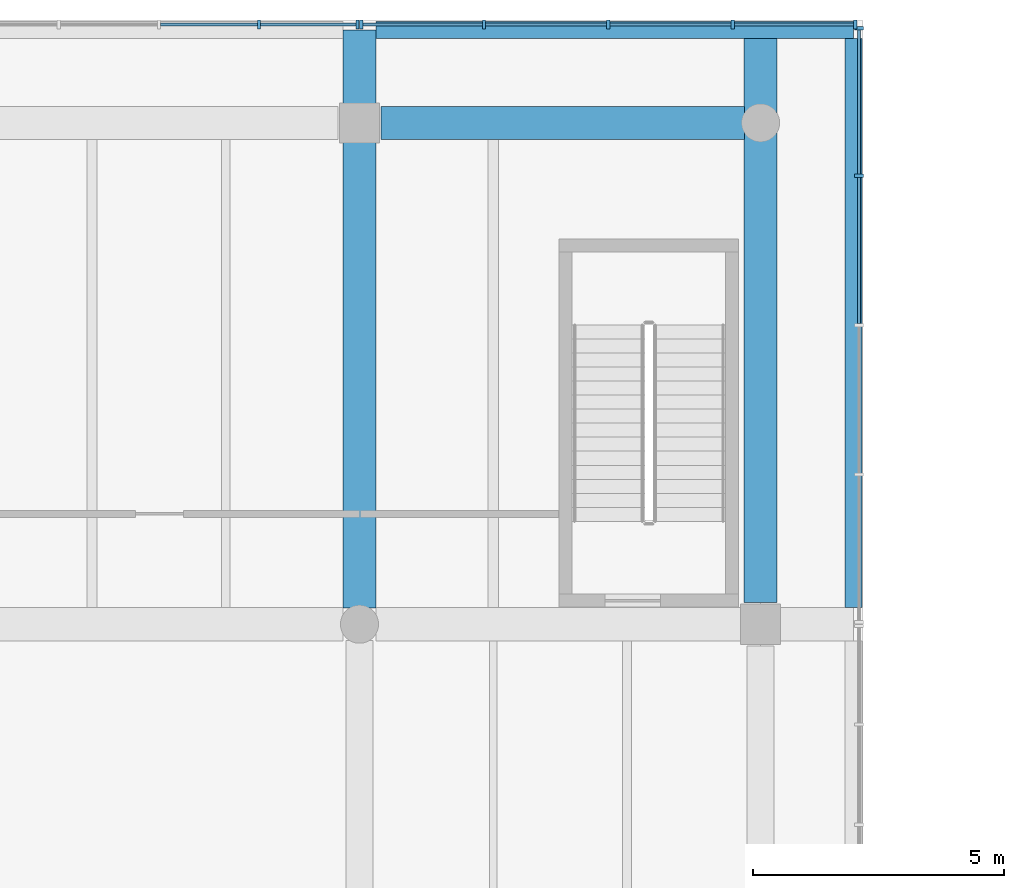
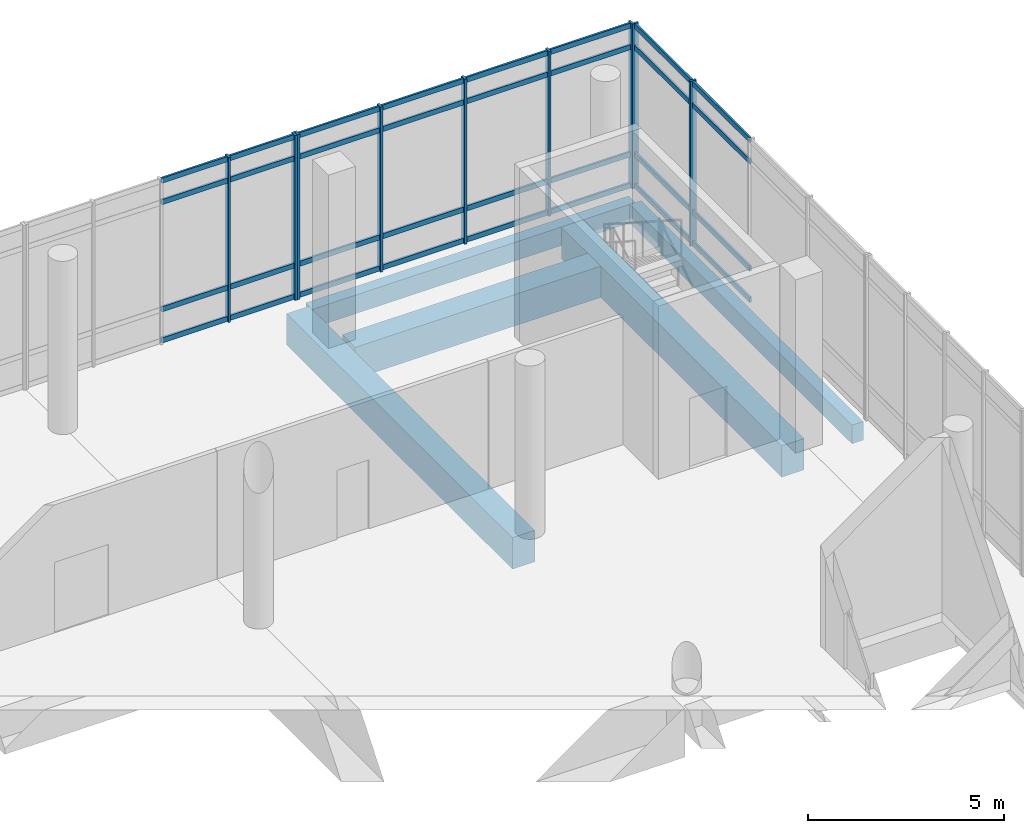
# One storey, part 9 of 20: 41 members, 5 beams, 3 elements without a shape of their own.
"""IFC4 building model written with IfcOpenShell, lengths in metres."""

from ifc_helpers import new_model, si_unit, direction, frame, origin, origin_2d, place, context, subcontext, project, spatial, rectangle, extrude, material, material_profile, profile_set, type_object, element, aggregate, save


model = new_model("IFC4")

# Units and contexts
model_context = context("Model", 3, precision=1e-05, world=origin(), true_north=direction((0.0, 1.0)))
body_context = subcontext(model_context, "Body", "Model", "MODEL_VIEW")
ifc_project = project(units=[si_unit("LENGTHUNIT", "METRE"), si_unit("AREAUNIT", "SQUARE_METRE"), si_unit("VOLUMEUNIT", "CUBIC_METRE"), si_unit("PLANEANGLEUNIT", "RADIAN"), si_unit("MASSUNIT", "GRAM", prefix="KILO")], contexts=[model_context])

# Site, building, storey
site_placement = place(None, origin())
site = spatial("IfcSite", under=ifc_project, at=site_placement, CompositionType="ELEMENT")
building_placement = place(site_placement, origin())
building = spatial("IfcBuilding", under=site, at=building_placement, Name="Pecanmere Concourse Central Library", CompositionType="ELEMENT")
storey_placement = place(building_placement, frame((0.0, 0.0, 24.89990234375)))
storey = spatial("IfcBuildingStorey", under=building, at=storey_placement, Name="L06", CompositionType="ELEMENT", Elevation=24.89990234375)

# Curtain wall, members
ifc_material_1 = material(Name="Anodized bronze aluminium alloy 6063-T6", Category="aluminium")
curtain_wall_type = type_object("IfcCurtainWallType", Name="CW_PLUMB_BANDED", PredefinedType="USERDEFINED", material=ifc_material_1)
curtain_wall_1_placement = place(storey_placement, origin())
curtain_wall_1 = element("IfcCurtainWall", 1, at=curtain_wall_1_placement, inside=storey, type_object=curtain_wall_type, Name="Unitised Curtain Wall CW-02 L06-070", ObjectType="UNITISED CURTAIN WALL", PredefinedType="USERDEFINED")
ifc_material_2 = material(Name="Anodized bronze aluminium alloy 6063-T6", Category="aluminium")
ifc_material_profile_1 = material_profile(ifc_material_2, rectangle(XDim=0.06494140625, YDim=0.179931640625, at=origin_2d()), Name="AL 65x180")
ifc_profile_set_1 = profile_set([ifc_material_profile_1], Name="Anodized bronze aluminium alloy 6063-T6")
member_type_1 = type_object("IfcMemberType", Name="CWM_180x65", PredefinedType="MULLION", material=ifc_profile_set_1)
member_1_placement = place(storey_placement, frame((105.888916015625, 125.96142578125, 0.0), z_axis=(0.0, 0.0, 1.0), x_axis=(-1.0, 0.0, 0.0)))
member_1 = element("IfcMember", 2, at=member_1_placement, type_object=member_type_1, Name="CW-02 Mullion 1", PredefinedType="MULLION", context=body_context, shape_type="SweptSolid", body=[
    extrude(rectangle(XDim=0.06494140625, YDim=0.179931640625, at=origin_2d()), origin(), (0.0, 0.0, 1.0), 5.14013671875),
])
member_2_placement = place(storey_placement, frame((103.4423828125, 125.96142578125, 0.0), z_axis=(0.0, 0.0, 1.0), x_axis=(-1.0, 0.0, 0.0)))
member_2 = element("IfcMember", 3, at=member_2_placement, type_object=member_type_1, Name="CW-02 Mullion 2", PredefinedType="MULLION", context=body_context, shape_type="SweptSolid", body=[
    extrude(rectangle(XDim=0.06494140625, YDim=0.179931640625, at=origin_2d()), origin(), (0.0, 0.0, 1.0), 5.14013671875),
])
member_3_placement = place(storey_placement, frame((100.963134765625, 125.96142578125, 0.0), z_axis=(0.0, 0.0, 1.0), x_axis=(-1.0, 0.0, 0.0)))
member_3 = element("IfcMember", 4, at=member_3_placement, type_object=member_type_1, Name="CW-02 Mullion 3", PredefinedType="MULLION", context=body_context, shape_type="SweptSolid", body=[
    extrude(rectangle(XDim=0.06494140625, YDim=0.179931640625, at=origin_2d()), origin(), (0.0, 0.0, 1.0), 5.14013671875),
])
member_4_placement = place(storey_placement, frame((98.484130859375, 125.96142578125, 0.0), z_axis=(0.0, 0.0, 1.0), x_axis=(-1.0, 0.0, 0.0)))
member_4 = element("IfcMember", 5, at=member_4_placement, type_object=member_type_1, Name="CW-02 Mullion 4", PredefinedType="MULLION", context=body_context, shape_type="SweptSolid", body=[
    extrude(rectangle(XDim=0.06494140625, YDim=0.179931640625, at=origin_2d()), origin(), (0.0, 0.0, 1.0), 5.14013671875),
])
member_5_placement = place(storey_placement, frame((96.03759765625, 125.96142578125, 0.0), z_axis=(0.0, 0.0, 1.0), x_axis=(-1.0, 0.0, 0.0)))
member_5 = element("IfcMember", 6, at=member_5_placement, type_object=member_type_1, Name="CW-02 Mullion 5", PredefinedType="MULLION", context=body_context, shape_type="SweptSolid", body=[
    extrude(rectangle(XDim=0.06494140625, YDim=0.179931640625, at=origin_2d()), origin(), (0.0, 0.0, 1.0), 5.14013671875),
])

curtain_wall_2_placement = place(storey_placement, origin())
curtain_wall_2 = element("IfcCurtainWall", 7, at=curtain_wall_2_placement, inside=storey, type_object=curtain_wall_type, Name="Unitised Curtain Wall CW-02 L06-071", ObjectType="UNITISED CURTAIN WALL", PredefinedType="USERDEFINED")
member_6_placement = place(storey_placement, frame((95.96240234375, 125.96142578125, 0.0), z_axis=(0.0, 0.0, 1.0), x_axis=(-1.0, 0.0, 0.0)))
member_6 = element("IfcMember", 8, at=member_6_placement, type_object=member_type_1, Name="CW-02 Mullion 1", PredefinedType="MULLION", context=body_context, shape_type="SweptSolid", body=[
    extrude(rectangle(XDim=0.06494140625, YDim=0.179931640625, at=origin_2d()), origin(), (0.0, 0.0, 1.0), 5.14013671875),
])
member_7_placement = place(storey_placement, frame((93.99755859375, 125.96142578125, 0.0), z_axis=(0.0, 0.0, 1.0), x_axis=(-1.0, 0.0, 0.0)))
member_7 = element("IfcMember", 9, at=member_7_placement, type_object=member_type_1, Name="CW-02 Mullion 2", PredefinedType="MULLION", context=body_context, shape_type="SweptSolid", body=[
    extrude(rectangle(XDim=0.06494140625, YDim=0.179931640625, at=origin_2d()), origin(), (0.0, 0.0, 1.0), 5.14013671875),
])

curtain_wall_3_placement = place(storey_placement, origin())
curtain_wall_3 = element("IfcCurtainWall", 10, at=curtain_wall_3_placement, inside=storey, type_object=curtain_wall_type, Name="Unitised Curtain Wall CW-02 L06-080", ObjectType="UNITISED CURTAIN WALL", PredefinedType="USERDEFINED")
member_8_placement = place(storey_placement, frame((105.96142578125, 122.9423828125, 0.0), z_axis=(0.0, 0.0, 1.0), x_axis=(0.0, 1.0, 0.0)))
member_8 = element("IfcMember", 11, at=member_8_placement, type_object=member_type_1, Name="CW-02 Mullion 4", PredefinedType="MULLION", context=body_context, shape_type="SweptSolid", body=[
    extrude(rectangle(XDim=0.06494140625, YDim=0.179931640625, at=origin_2d()), origin(), (0.0, 0.0, 1.0), 5.14013671875),
])
member_9_placement = place(storey_placement, frame((105.96142578125, 125.888916015625, 0.0), z_axis=(0.0, 0.0, 1.0), x_axis=(0.0, 1.0, 0.0)))
member_9 = element("IfcMember", 12, at=member_9_placement, type_object=member_type_1, Name="CW-02 Mullion 5", PredefinedType="MULLION", context=body_context, shape_type="SweptSolid", body=[
    extrude(rectangle(XDim=0.06494140625, YDim=0.179931640625, at=origin_2d()), origin(), (0.0, 0.0, 1.0), 5.14013671875),
])

# Member
ifc_material_3 = material(Name="Anodized bronze aluminium alloy 6063-T6", Category="aluminium")
ifc_material_profile_2 = material_profile(ifc_material_3, rectangle(XDim=0.06005859375, YDim=0.159912109375, at=origin_2d()), Name="AL 60x160")
ifc_profile_set_2 = profile_set([ifc_material_profile_2], Name="Anodized bronze aluminium alloy 6063-T6")
member_type_2 = type_object("IfcMemberType", Name="CWT_160x60", PredefinedType="USERDEFINED", material=ifc_profile_set_2)
member_10_placement = place(storey_placement, frame((105.8564453125, 125.96142578125, 0.080078125), z_axis=(-1.0, 0.0, 0.0), x_axis=(0.0, -1.0, 0.0)))
member_10 = element("IfcMember", 13, at=member_10_placement, type_object=member_type_2, Name="CW-02 Transom 1.1", ObjectType="TRANSOM", PredefinedType="USERDEFINED", context=body_context, shape_type="SweptSolid", body=[
    extrude(rectangle(XDim=0.06005859375, YDim=0.159912109375, at=origin_2d()), origin(), (0.0, 0.0, 1.0), 2.381591796875),
])

member_11_placement = place(storey_placement, frame((105.8564453125, 125.96142578125, 1.050048828125), z_axis=(-1.0, 0.0, 0.0), x_axis=(0.0, -1.0, 0.0)))
member_11 = element("IfcMember", 14, at=member_11_placement, type_object=member_type_2, Name="CW-02 Transom 1.2", ObjectType="TRANSOM", PredefinedType="USERDEFINED", context=body_context, shape_type="SweptSolid", body=[
    extrude(rectangle(XDim=0.06005859375, YDim=0.159912109375, at=origin_2d()), origin(), (0.0, 0.0, 1.0), 2.381591796875),
])

member_12_placement = place(storey_placement, frame((105.8564453125, 125.96142578125, 4.39013671875), z_axis=(-1.0, 0.0, 0.0), x_axis=(0.0, -1.0, 0.0)))
member_12 = element("IfcMember", 15, at=member_12_placement, type_object=member_type_2, Name="CW-02 Transom 1.3", ObjectType="TRANSOM", PredefinedType="USERDEFINED", context=body_context, shape_type="SweptSolid", body=[
    extrude(rectangle(XDim=0.06005859375, YDim=0.159912109375, at=origin_2d()), origin(), (0.0, 0.0, 1.0), 2.381591796875),
])

member_13_placement = place(storey_placement, frame((105.8564453125, 125.96142578125, 5.06005859375), z_axis=(-1.0, 0.0, 0.0), x_axis=(0.0, -1.0, 0.0)))
member_13 = element("IfcMember", 16, at=member_13_placement, type_object=member_type_2, Name="CW-02 Transom 1.4", ObjectType="TRANSOM", PredefinedType="USERDEFINED", context=body_context, shape_type="SweptSolid", body=[
    extrude(rectangle(XDim=0.06005859375, YDim=0.159912109375, at=origin_2d()), origin(), (0.0, 0.0, 1.0), 2.381591796875),
])

member_14_placement = place(storey_placement, frame((103.409912109375, 125.96142578125, 0.080078125), z_axis=(-1.0, 0.0, 0.0), x_axis=(0.0, -1.0, 0.0)))
member_14 = element("IfcMember", 17, at=member_14_placement, type_object=member_type_2, Name="CW-02 Transom 2.1", ObjectType="TRANSOM", PredefinedType="USERDEFINED", context=body_context, shape_type="SweptSolid", body=[
    extrude(rectangle(XDim=0.06005859375, YDim=0.159912109375, at=origin_2d()), origin(), (0.0, 0.0, 1.0), 2.4140625),
])

member_15_placement = place(storey_placement, frame((103.409912109375, 125.96142578125, 1.050048828125), z_axis=(-1.0, 0.0, 0.0), x_axis=(0.0, -1.0, 0.0)))
member_15 = element("IfcMember", 18, at=member_15_placement, type_object=member_type_2, Name="CW-02 Transom 2.2", ObjectType="TRANSOM", PredefinedType="USERDEFINED", context=body_context, shape_type="SweptSolid", body=[
    extrude(rectangle(XDim=0.06005859375, YDim=0.159912109375, at=origin_2d()), origin(), (0.0, 0.0, 1.0), 2.4140625),
])

member_16_placement = place(storey_placement, frame((103.409912109375, 125.96142578125, 4.39013671875), z_axis=(-1.0, 0.0, 0.0), x_axis=(0.0, -1.0, 0.0)))
member_16 = element("IfcMember", 19, at=member_16_placement, type_object=member_type_2, Name="CW-02 Transom 2.3", ObjectType="TRANSOM", PredefinedType="USERDEFINED", context=body_context, shape_type="SweptSolid", body=[
    extrude(rectangle(XDim=0.06005859375, YDim=0.159912109375, at=origin_2d()), origin(), (0.0, 0.0, 1.0), 2.4140625),
])

member_17_placement = place(storey_placement, frame((103.409912109375, 125.96142578125, 5.06005859375), z_axis=(-1.0, 0.0, 0.0), x_axis=(0.0, -1.0, 0.0)))
member_17 = element("IfcMember", 20, at=member_17_placement, type_object=member_type_2, Name="CW-02 Transom 2.4", ObjectType="TRANSOM", PredefinedType="USERDEFINED", context=body_context, shape_type="SweptSolid", body=[
    extrude(rectangle(XDim=0.06005859375, YDim=0.159912109375, at=origin_2d()), origin(), (0.0, 0.0, 1.0), 2.4140625),
])

member_18_placement = place(storey_placement, frame((100.9306640625, 125.96142578125, 0.080078125), z_axis=(-1.0, 0.0, 0.0), x_axis=(0.0, -1.0, 0.0)))
member_18 = element("IfcMember", 21, at=member_18_placement, type_object=member_type_2, Name="CW-02 Transom 3.1", ObjectType="TRANSOM", PredefinedType="USERDEFINED", context=body_context, shape_type="SweptSolid", body=[
    extrude(rectangle(XDim=0.06005859375, YDim=0.159912109375, at=origin_2d()), origin(), (0.0, 0.0, 1.0), 2.4140625),
])

member_19_placement = place(storey_placement, frame((100.9306640625, 125.96142578125, 1.050048828125), z_axis=(-1.0, 0.0, 0.0), x_axis=(0.0, -1.0, 0.0)))
member_19 = element("IfcMember", 22, at=member_19_placement, type_object=member_type_2, Name="CW-02 Transom 3.2", ObjectType="TRANSOM", PredefinedType="USERDEFINED", context=body_context, shape_type="SweptSolid", body=[
    extrude(rectangle(XDim=0.06005859375, YDim=0.159912109375, at=origin_2d()), origin(), (0.0, 0.0, 1.0), 2.4140625),
])

member_20_placement = place(storey_placement, frame((100.9306640625, 125.96142578125, 4.39013671875), z_axis=(-1.0, 0.0, 0.0), x_axis=(0.0, -1.0, 0.0)))
member_20 = element("IfcMember", 23, at=member_20_placement, type_object=member_type_2, Name="CW-02 Transom 3.3", ObjectType="TRANSOM", PredefinedType="USERDEFINED", context=body_context, shape_type="SweptSolid", body=[
    extrude(rectangle(XDim=0.06005859375, YDim=0.159912109375, at=origin_2d()), origin(), (0.0, 0.0, 1.0), 2.4140625),
])

member_21_placement = place(storey_placement, frame((100.9306640625, 125.96142578125, 5.06005859375), z_axis=(-1.0, 0.0, 0.0), x_axis=(0.0, -1.0, 0.0)))
member_21 = element("IfcMember", 24, at=member_21_placement, type_object=member_type_2, Name="CW-02 Transom 3.4", ObjectType="TRANSOM", PredefinedType="USERDEFINED", context=body_context, shape_type="SweptSolid", body=[
    extrude(rectangle(XDim=0.06005859375, YDim=0.159912109375, at=origin_2d()), origin(), (0.0, 0.0, 1.0), 2.4140625),
])

member_22_placement = place(storey_placement, frame((98.45166015625, 125.96142578125, 0.080078125), z_axis=(-1.0, 0.0, 0.0), x_axis=(0.0, -1.0, 0.0)))
member_22 = element("IfcMember", 25, at=member_22_placement, type_object=member_type_2, Name="CW-02 Transom 4.1", ObjectType="TRANSOM", PredefinedType="USERDEFINED", context=body_context, shape_type="SweptSolid", body=[
    extrude(rectangle(XDim=0.06005859375, YDim=0.159912109375, at=origin_2d()), origin(), (0.0, 0.0, 1.0), 2.381591796875),
])

member_23_placement = place(storey_placement, frame((98.45166015625, 125.96142578125, 1.050048828125), z_axis=(-1.0, 0.0, 0.0), x_axis=(0.0, -1.0, 0.0)))
member_23 = element("IfcMember", 26, at=member_23_placement, type_object=member_type_2, Name="CW-02 Transom 4.2", ObjectType="TRANSOM", PredefinedType="USERDEFINED", context=body_context, shape_type="SweptSolid", body=[
    extrude(rectangle(XDim=0.06005859375, YDim=0.159912109375, at=origin_2d()), origin(), (0.0, 0.0, 1.0), 2.381591796875),
])

member_24_placement = place(storey_placement, frame((98.45166015625, 125.96142578125, 4.39013671875), z_axis=(-1.0, 0.0, 0.0), x_axis=(0.0, -1.0, 0.0)))
member_24 = element("IfcMember", 27, at=member_24_placement, type_object=member_type_2, Name="CW-02 Transom 4.3", ObjectType="TRANSOM", PredefinedType="USERDEFINED", context=body_context, shape_type="SweptSolid", body=[
    extrude(rectangle(XDim=0.06005859375, YDim=0.159912109375, at=origin_2d()), origin(), (0.0, 0.0, 1.0), 2.381591796875),
])

member_25_placement = place(storey_placement, frame((98.45166015625, 125.96142578125, 5.06005859375), z_axis=(-1.0, 0.0, 0.0), x_axis=(0.0, -1.0, 0.0)))
member_25 = element("IfcMember", 28, at=member_25_placement, type_object=member_type_2, Name="CW-02 Transom 4.4", ObjectType="TRANSOM", PredefinedType="USERDEFINED", context=body_context, shape_type="SweptSolid", body=[
    extrude(rectangle(XDim=0.06005859375, YDim=0.159912109375, at=origin_2d()), origin(), (0.0, 0.0, 1.0), 2.381591796875),
])

aggregate(curtain_wall_1, [member_1, member_2, member_3, member_4, member_5, member_10, member_11, member_12, member_13, member_14, member_15, member_16, member_17, member_18, member_19, member_20, member_21, member_22, member_23, member_24, member_25])

member_26_placement = place(storey_placement, frame((95.929931640625, 125.96142578125, 0.080078125), z_axis=(-1.0, 0.0, 0.0), x_axis=(0.0, -1.0, 0.0)))
member_26 = element("IfcMember", 29, at=member_26_placement, type_object=member_type_2, Name="CW-02 Transom 1.1", ObjectType="TRANSOM", PredefinedType="USERDEFINED", context=body_context, shape_type="SweptSolid", body=[
    extrude(rectangle(XDim=0.06005859375, YDim=0.159912109375, at=origin_2d()), origin(), (0.0, 0.0, 1.0), 1.89990234375),
])

member_27_placement = place(storey_placement, frame((95.929931640625, 125.96142578125, 1.050048828125), z_axis=(-1.0, 0.0, 0.0), x_axis=(0.0, -1.0, 0.0)))
member_27 = element("IfcMember", 30, at=member_27_placement, type_object=member_type_2, Name="CW-02 Transom 1.2", ObjectType="TRANSOM", PredefinedType="USERDEFINED", context=body_context, shape_type="SweptSolid", body=[
    extrude(rectangle(XDim=0.06005859375, YDim=0.159912109375, at=origin_2d()), origin(), (0.0, 0.0, 1.0), 1.89990234375),
])

member_28_placement = place(storey_placement, frame((95.929931640625, 125.96142578125, 4.39013671875), z_axis=(-1.0, 0.0, 0.0), x_axis=(0.0, -1.0, 0.0)))
member_28 = element("IfcMember", 31, at=member_28_placement, type_object=member_type_2, Name="CW-02 Transom 1.3", ObjectType="TRANSOM", PredefinedType="USERDEFINED", context=body_context, shape_type="SweptSolid", body=[
    extrude(rectangle(XDim=0.06005859375, YDim=0.159912109375, at=origin_2d()), origin(), (0.0, 0.0, 1.0), 1.89990234375),
])

member_29_placement = place(storey_placement, frame((95.929931640625, 125.96142578125, 5.06005859375), z_axis=(-1.0, 0.0, 0.0), x_axis=(0.0, -1.0, 0.0)))
member_29 = element("IfcMember", 32, at=member_29_placement, type_object=member_type_2, Name="CW-02 Transom 1.4", ObjectType="TRANSOM", PredefinedType="USERDEFINED", context=body_context, shape_type="SweptSolid", body=[
    extrude(rectangle(XDim=0.06005859375, YDim=0.159912109375, at=origin_2d()), origin(), (0.0, 0.0, 1.0), 1.89990234375),
])

member_30_placement = place(storey_placement, frame((93.965087890625, 125.96142578125, 0.080078125), z_axis=(-1.0, 0.0, 0.0), x_axis=(0.0, -1.0, 0.0)))
member_30 = element("IfcMember", 33, at=member_30_placement, type_object=member_type_2, Name="CW-02 Transom 2.1", ObjectType="TRANSOM", PredefinedType="USERDEFINED", context=body_context, shape_type="SweptSolid", body=[
    extrude(rectangle(XDim=0.06005859375, YDim=0.159912109375, at=origin_2d()), origin(), (0.0, 0.0, 1.0), 1.9326171875),
])

member_31_placement = place(storey_placement, frame((93.965087890625, 125.96142578125, 1.050048828125), z_axis=(-1.0, 0.0, 0.0), x_axis=(0.0, -1.0, 0.0)))
member_31 = element("IfcMember", 34, at=member_31_placement, type_object=member_type_2, Name="CW-02 Transom 2.2", ObjectType="TRANSOM", PredefinedType="USERDEFINED", context=body_context, shape_type="SweptSolid", body=[
    extrude(rectangle(XDim=0.06005859375, YDim=0.159912109375, at=origin_2d()), origin(), (0.0, 0.0, 1.0), 1.9326171875),
])

member_32_placement = place(storey_placement, frame((93.965087890625, 125.96142578125, 4.39013671875), z_axis=(-1.0, 0.0, 0.0), x_axis=(0.0, -1.0, 0.0)))
member_32 = element("IfcMember", 35, at=member_32_placement, type_object=member_type_2, Name="CW-02 Transom 2.3", ObjectType="TRANSOM", PredefinedType="USERDEFINED", context=body_context, shape_type="SweptSolid", body=[
    extrude(rectangle(XDim=0.06005859375, YDim=0.159912109375, at=origin_2d()), origin(), (0.0, 0.0, 1.0), 1.9326171875),
])

member_33_placement = place(storey_placement, frame((93.965087890625, 125.96142578125, 5.06005859375), z_axis=(-1.0, 0.0, 0.0), x_axis=(0.0, -1.0, 0.0)))
member_33 = element("IfcMember", 36, at=member_33_placement, type_object=member_type_2, Name="CW-02 Transom 2.4", ObjectType="TRANSOM", PredefinedType="USERDEFINED", context=body_context, shape_type="SweptSolid", body=[
    extrude(rectangle(XDim=0.06005859375, YDim=0.159912109375, at=origin_2d()), origin(), (0.0, 0.0, 1.0), 1.9326171875),
])

aggregate(curtain_wall_2, [member_6, member_7, member_26, member_27, member_28, member_29, member_30, member_31, member_32, member_33])

member_34_placement = place(storey_placement, frame((105.96142578125, 119.995849609375, 0.080078125), z_axis=(0.0, 1.0, 0.0), x_axis=(-1.0, 0.0, 0.0)))
member_34 = element("IfcMember", 37, at=member_34_placement, type_object=member_type_2, Name="CW-02 Transom 3.1", ObjectType="TRANSOM", PredefinedType="USERDEFINED", context=body_context, shape_type="SweptSolid", body=[
    extrude(rectangle(XDim=0.06005859375, YDim=0.159912109375, at=origin_2d()), origin(), (0.0, 0.0, 1.0), 2.9140625),
])

member_35_placement = place(storey_placement, frame((105.96142578125, 119.995849609375, 1.050048828125), z_axis=(0.0, 1.0, 0.0), x_axis=(-1.0, 0.0, 0.0)))
member_35 = element("IfcMember", 38, at=member_35_placement, type_object=member_type_2, Name="CW-02 Transom 3.2", ObjectType="TRANSOM", PredefinedType="USERDEFINED", context=body_context, shape_type="SweptSolid", body=[
    extrude(rectangle(XDim=0.06005859375, YDim=0.159912109375, at=origin_2d()), origin(), (0.0, 0.0, 1.0), 2.9140625),
])

member_36_placement = place(storey_placement, frame((105.96142578125, 119.995849609375, 4.39013671875), z_axis=(0.0, 1.0, 0.0), x_axis=(-1.0, 0.0, 0.0)))
member_36 = element("IfcMember", 39, at=member_36_placement, type_object=member_type_2, Name="CW-02 Transom 3.3", ObjectType="TRANSOM", PredefinedType="USERDEFINED", context=body_context, shape_type="SweptSolid", body=[
    extrude(rectangle(XDim=0.06005859375, YDim=0.159912109375, at=origin_2d()), origin(), (0.0, 0.0, 1.0), 2.9140625),
])

member_37_placement = place(storey_placement, frame((105.96142578125, 119.995849609375, 5.06005859375), z_axis=(0.0, 1.0, 0.0), x_axis=(-1.0, 0.0, 0.0)))
member_37 = element("IfcMember", 40, at=member_37_placement, type_object=member_type_2, Name="CW-02 Transom 3.4", ObjectType="TRANSOM", PredefinedType="USERDEFINED", context=body_context, shape_type="SweptSolid", body=[
    extrude(rectangle(XDim=0.06005859375, YDim=0.159912109375, at=origin_2d()), origin(), (0.0, 0.0, 1.0), 2.9140625),
])

member_38_placement = place(storey_placement, frame((105.96142578125, 122.974853515625, 0.080078125), z_axis=(0.0, 1.0, 0.0), x_axis=(-1.0, 0.0, 0.0)))
member_38 = element("IfcMember", 41, at=member_38_placement, type_object=member_type_2, Name="CW-02 Transom 4.1", ObjectType="TRANSOM", PredefinedType="USERDEFINED", context=body_context, shape_type="SweptSolid", body=[
    extrude(rectangle(XDim=0.06005859375, YDim=0.159912109375, at=origin_2d()), origin(), (0.0, 0.0, 1.0), 2.881591796875),
])

member_39_placement = place(storey_placement, frame((105.96142578125, 122.974853515625, 1.050048828125), z_axis=(0.0, 1.0, 0.0), x_axis=(-1.0, 0.0, 0.0)))
member_39 = element("IfcMember", 42, at=member_39_placement, type_object=member_type_2, Name="CW-02 Transom 4.2", ObjectType="TRANSOM", PredefinedType="USERDEFINED", context=body_context, shape_type="SweptSolid", body=[
    extrude(rectangle(XDim=0.06005859375, YDim=0.159912109375, at=origin_2d()), origin(), (0.0, 0.0, 1.0), 2.881591796875),
])

member_40_placement = place(storey_placement, frame((105.96142578125, 122.974853515625, 4.39013671875), z_axis=(0.0, 1.0, 0.0), x_axis=(-1.0, 0.0, 0.0)))
member_40 = element("IfcMember", 43, at=member_40_placement, type_object=member_type_2, Name="CW-02 Transom 4.3", ObjectType="TRANSOM", PredefinedType="USERDEFINED", context=body_context, shape_type="SweptSolid", body=[
    extrude(rectangle(XDim=0.06005859375, YDim=0.159912109375, at=origin_2d()), origin(), (0.0, 0.0, 1.0), 2.881591796875),
])

member_41_placement = place(storey_placement, frame((105.96142578125, 122.974853515625, 5.06005859375), z_axis=(0.0, 1.0, 0.0), x_axis=(-1.0, 0.0, 0.0)))
member_41 = element("IfcMember", 44, at=member_41_placement, type_object=member_type_2, Name="CW-02 Transom 4.4", ObjectType="TRANSOM", PredefinedType="USERDEFINED", context=body_context, shape_type="SweptSolid", body=[
    extrude(rectangle(XDim=0.06005859375, YDim=0.159912109375, at=origin_2d()), origin(), (0.0, 0.0, 1.0), 2.881591796875),
])

aggregate(curtain_wall_3, [member_8, member_9, member_34, member_35, member_36, member_37, member_38, member_39, member_40, member_41])

# Beams
ifc_material_4 = material(Name="Concrete C40/50", Category="concrete")
ifc_material_profile_3 = material_profile(ifc_material_4, rectangle(XDim=0.659912109375, YDim=0.97998046875, at=origin_2d()), Name="RC 660x980")
ifc_profile_set_3 = profile_set([ifc_material_profile_3], Name="Concrete C40/50")
beam_type_1 = type_object("IfcBeamType", Name="GRD_660x980", PredefinedType="USERDEFINED", material=ifc_profile_set_3)
beam_1_placement = place(storey_placement, frame((96.429931640625, 124.0, -0.789794921875), z_axis=(1.0, 0.0, 0.0), x_axis=(0.0, 1.0, 0.0)))
element("IfcBeam", 45, at=beam_1_placement, inside=storey, type_object=beam_type_1, Name="Primary Girder X L06-2668", ObjectType="GIRDER", PredefinedType="USERDEFINED", context=body_context, shape_type="SweptSolid", body=[
    extrude(rectangle(XDim=0.659912109375, YDim=0.97998046875, at=origin_2d()), origin(), (0.0, 0.0, 1.0), 7.2451171875),
])
beam_2_placement = place(storey_placement, frame((96.0, 114.324951171875, -0.789794921875), z_axis=(0.0, 1.0, 0.0), x_axis=(-1.0, 0.0, 0.0)))
element("IfcBeam", 46, at=beam_2_placement, inside=storey, type_object=beam_type_1, Name="Primary Girder Y L06-2698", ObjectType="GIRDER", PredefinedType="USERDEFINED", context=body_context, shape_type="SweptSolid", body=[
    extrude(rectangle(XDim=0.659912109375, YDim=0.97998046875, at=origin_2d()), origin(), (0.0, 0.0, 1.0), 11.526611328125),
])
beam_3_placement = place(storey_placement, frame((104.0, 114.429931640625, -0.789794921875), z_axis=(0.0, 1.0, 0.0), x_axis=(-1.0, 0.0, 0.0)))
element("IfcBeam", 47, at=beam_3_placement, inside=storey, type_object=beam_type_1, Name="Primary Girder Y L06-2702", ObjectType="GIRDER", PredefinedType="USERDEFINED", context=body_context, shape_type="SweptSolid", body=[
    extrude(rectangle(XDim=0.659912109375, YDim=0.97998046875, at=origin_2d()), origin(), (0.0, 0.0, 1.0), 11.25146484375),
])
ifc_material_5 = material(Name="Concrete C40/50", Category="concrete")
ifc_material_profile_4 = material_profile(ifc_material_5, rectangle(XDim=0.340087890625, YDim=0.580078125, at=origin_2d()), Name="RC 340x580")
ifc_profile_set_4 = profile_set([ifc_material_profile_4], Name="Concrete C40/50")
beam_type_2 = type_object("IfcBeamType", Name="SPB_340x580", PredefinedType="BEAM", material=ifc_profile_set_4)
beam_4_placement = place(storey_placement, frame((96.330078125, 125.8515625, -0.58984375), z_axis=(1.0, 0.0, 0.0), x_axis=(0.0, 1.0, 0.0)))
element("IfcBeam", 48, at=beam_4_placement, inside=storey, type_object=beam_type_2, Name="Leaning Facade Edge Beam L06-2725", PredefinedType="BEAM", context=body_context, shape_type="SweptSolid", body=[
    extrude(rectangle(XDim=0.340087890625, YDim=0.580078125, at=origin_2d()), origin(), (0.0, 0.0, 1.0), 9.521484375),
])
beam_5_placement = place(storey_placement, frame((105.8515625, 114.330078125, -0.58984375), z_axis=(0.0, 1.0, 0.0), x_axis=(-1.0, 0.0, 0.0)))
element("IfcBeam", 49, at=beam_5_placement, inside=storey, type_object=beam_type_2, Name="Leaning Facade Edge Beam L06-2729", PredefinedType="BEAM", context=body_context, shape_type="SweptSolid", body=[
    extrude(rectangle(XDim=0.340087890625, YDim=0.580078125, at=origin_2d()), origin(), (0.0, 0.0, 1.0), 11.351318359375),
])

save(model, "model.ifc")
